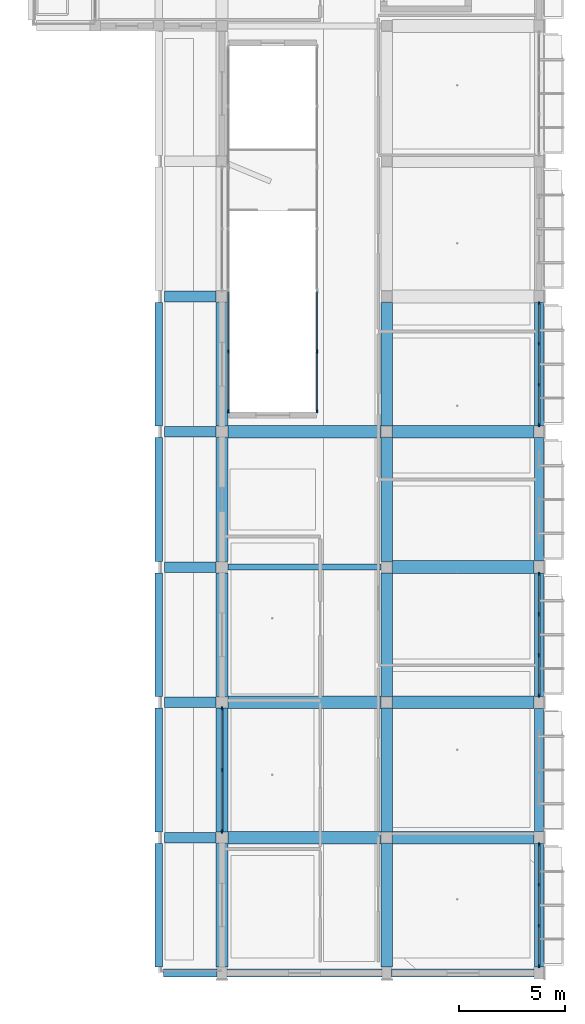
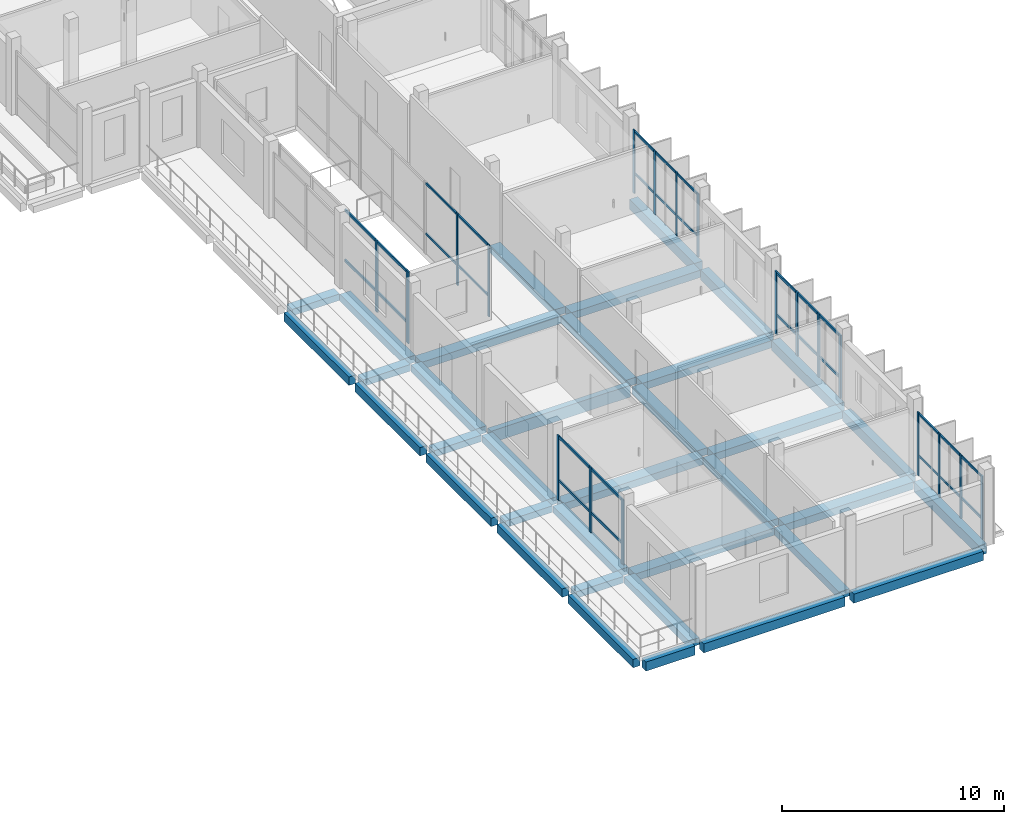
# One storey, part 21 of 85: 36 beams, 31 members, 6 elements without a shape of their own.
"""IFC4 building model written with IfcOpenShell, lengths in metres."""

from ifc_helpers import new_model, si_unit, derived_unit, direction, frame, origin, origin_2d, place, context, subcontext, project, spatial, rectangle, extrude, material, material_profile, profile_set, type_object, element, aggregate, save


model = new_model("IFC4")

# Units and contexts
model_context = context("Model", 3, precision=1e-05, world=origin(), true_north=direction((0.0, 1.0)))
body_context = subcontext(model_context, "Body", "Model", "MODEL_VIEW")
ifc_project = project(units=[si_unit("LENGTHUNIT", "METRE"), si_unit("AREAUNIT", "SQUARE_METRE"), si_unit("VOLUMEUNIT", "CUBIC_METRE"), si_unit("PLANEANGLEUNIT", "RADIAN"), si_unit("MASSUNIT", "GRAM", prefix="KILO"), derived_unit("THERMALTRANSMITTANCEUNIT", [(si_unit("POWERUNIT", "WATT"), 1), (si_unit("LENGTHUNIT", "METRE"), -2), (si_unit("THERMODYNAMICTEMPERATUREUNIT", "KELVIN"), -1)])], contexts=[model_context])

# Site, building, storey
site_placement = place(None, origin())
site = spatial("IfcSite", under=ifc_project, at=site_placement, CompositionType="ELEMENT")
building_placement = place(site_placement, origin())
building = spatial("IfcBuilding", under=site, at=building_placement, Name="Braskholm Square Health Centre", CompositionType="ELEMENT")
storey_placement = place(building_placement, frame((0.0, 0.0, 9.300048828125)))
storey = spatial("IfcBuildingStorey", under=building, at=storey_placement, Name="L03", CompositionType="ELEMENT", Elevation=9.300048828125)

# Curtain wall, members
ifc_material_1 = material(Name="Low-E triple insulating glass (VLT 0.64)", Category="glass")
curtain_wall_type_1 = type_object("IfcCurtainWallType", Name="UnitisedCurtainWall6200x3650", PredefinedType="NOTDEFINED", material=ifc_material_1)
curtain_wall_1_placement = place(storey_placement, origin())
curtain_wall_1 = element("IfcCurtainWall", 1, at=curtain_wall_1_placement, inside=storey, type_object=curtain_wall_type_1, Name="East Outer unitised curtain wall CW-L03-0060", PredefinedType="NOTDEFINED")
ifc_material_2 = material(Name="Architectural bronze anodised aluminium", Category="aluminium")
ifc_material_profile_1 = material_profile(ifc_material_2, rectangle(XDim=0.06494140625, YDim=0.14990234375, at=origin_2d()), Name="ALU-65X150")
ifc_profile_set_1 = profile_set([ifc_material_profile_1], Name="Architectural bronze anodised aluminium")
member_type_1 = type_object("IfcMemberType", Name="CurtainWallMullion65x150", PredefinedType="MULLION", material=ifc_profile_set_1)
member_1_placement = place(storey_placement, frame((163.800048828125, 4.52490234375, 0.0), z_axis=(0.0, 0.0, 1.0), x_axis=(1.0, 0.0, 0.0)))
member_1 = element("IfcMember", 2, at=member_1_placement, type_object=member_type_1, Name="CW-L03-0060 vertical mullion 1", PredefinedType="MULLION", context=body_context, shape_type="SweptSolid", body=[
    extrude(rectangle(XDim=0.06494140625, YDim=0.14990234375, at=origin_2d()), origin(), (0.0, 0.0, 1.0), 3.47998046875),
])
member_2_placement = place(storey_placement, frame((163.800048828125, 6.429931640625, 0.0), z_axis=(0.0, 0.0, 1.0), x_axis=(1.0, 0.0, 0.0)))
member_2 = element("IfcMember", 3, at=member_2_placement, type_object=member_type_1, Name="CW-L03-0060 vertical mullion 2", PredefinedType="MULLION", context=body_context, shape_type="SweptSolid", body=[
    extrude(rectangle(XDim=0.06494140625, YDim=0.14990234375, at=origin_2d()), origin(), (0.0, 0.0, 1.0), 3.47998046875),
])
member_3_placement = place(storey_placement, frame((163.800048828125, 8.3701171875, 0.0), z_axis=(0.0, 0.0, 1.0), x_axis=(1.0, 0.0, 0.0)))
member_3 = element("IfcMember", 4, at=member_3_placement, type_object=member_type_1, Name="CW-L03-0060 vertical mullion 3", PredefinedType="MULLION", context=body_context, shape_type="SweptSolid", body=[
    extrude(rectangle(XDim=0.06494140625, YDim=0.14990234375, at=origin_2d()), origin(), (0.0, 0.0, 1.0), 3.47998046875),
])
member_4_placement = place(storey_placement, frame((163.800048828125, 10.275146484375, 0.0), z_axis=(0.0, 0.0, 1.0), x_axis=(1.0, 0.0, 0.0)))
member_4 = element("IfcMember", 5, at=member_4_placement, type_object=member_type_1, Name="CW-L03-0060 vertical mullion 4", PredefinedType="MULLION", context=body_context, shape_type="SweptSolid", body=[
    extrude(rectangle(XDim=0.06494140625, YDim=0.14990234375, at=origin_2d()), origin(), (0.0, 0.0, 1.0), 3.47998046875),
])

curtain_wall_2_placement = place(storey_placement, origin())
curtain_wall_2 = element("IfcCurtainWall", 6, at=curtain_wall_2_placement, inside=storey, type_object=curtain_wall_type_1, Name="East Outer unitised curtain wall CW-L03-0062", PredefinedType="NOTDEFINED")
member_5_placement = place(storey_placement, frame((163.800048828125, 30.125, 0.0), z_axis=(0.0, 0.0, 1.0), x_axis=(1.0, 0.0, 0.0)))
member_5 = element("IfcMember", 7, at=member_5_placement, type_object=member_type_1, Name="CW-L03-0062 vertical mullion 1", PredefinedType="MULLION", context=body_context, shape_type="SweptSolid", body=[
    extrude(rectangle(XDim=0.06494140625, YDim=0.14990234375, at=origin_2d()), origin(), (0.0, 0.0, 1.0), 3.47998046875),
])
member_6_placement = place(storey_placement, frame((163.800048828125, 32.030029296875, 0.0), z_axis=(0.0, 0.0, 1.0), x_axis=(1.0, 0.0, 0.0)))
member_6 = element("IfcMember", 8, at=member_6_placement, type_object=member_type_1, Name="CW-L03-0062 vertical mullion 2", PredefinedType="MULLION", context=body_context, shape_type="SweptSolid", body=[
    extrude(rectangle(XDim=0.06494140625, YDim=0.14990234375, at=origin_2d()), origin(), (0.0, 0.0, 1.0), 3.47998046875),
])
member_7_placement = place(storey_placement, frame((163.800048828125, 33.969970703125, 0.0), z_axis=(0.0, 0.0, 1.0), x_axis=(1.0, 0.0, 0.0)))
member_7 = element("IfcMember", 9, at=member_7_placement, type_object=member_type_1, Name="CW-L03-0062 vertical mullion 3", PredefinedType="MULLION", context=body_context, shape_type="SweptSolid", body=[
    extrude(rectangle(XDim=0.06494140625, YDim=0.14990234375, at=origin_2d()), origin(), (0.0, 0.0, 1.0), 3.47998046875),
])
member_8_placement = place(storey_placement, frame((163.800048828125, 35.875, 0.0), z_axis=(0.0, 0.0, 1.0), x_axis=(1.0, 0.0, 0.0)))
member_8 = element("IfcMember", 10, at=member_8_placement, type_object=member_type_1, Name="CW-L03-0062 vertical mullion 4", PredefinedType="MULLION", context=body_context, shape_type="SweptSolid", body=[
    extrude(rectangle(XDim=0.06494140625, YDim=0.14990234375, at=origin_2d()), origin(), (0.0, 0.0, 1.0), 3.47998046875),
])

curtain_wall_type_2 = type_object("IfcCurtainWallType", Name="UnitisedCurtainWall5400x4100", PredefinedType="NOTDEFINED", material=ifc_material_1)
curtain_wall_3_placement = place(storey_placement, origin())
curtain_wall_3 = element("IfcCurtainWall", 11, at=curtain_wall_3_placement, inside=storey, type_object=curtain_wall_type_2, Name="EC1 Court E unitised curtain wall CW-L03-0334", PredefinedType="NOTDEFINED")
member_9_placement = place(storey_placement, frame((153.300048828125, 33.60107421875, 0.0), z_axis=(0.0, 0.0, 1.0), x_axis=(1.0, 0.0, 0.0)))
member_9 = element("IfcMember", 12, at=member_9_placement, type_object=member_type_1, Name="CW-L03-0334 vertical mullion 2", PredefinedType="MULLION", context=body_context, shape_type="SweptSolid", body=[
    extrude(rectangle(XDim=0.06494140625, YDim=0.14990234375, at=origin_2d()), origin(), (0.0, 0.0, 1.0), 3.949951171875),
])
member_10_placement = place(storey_placement, frame((153.300048828125, 30.7744140625, 0.0), z_axis=(0.0, 0.0, 1.0), x_axis=(1.0, 0.0, 0.0)))
member_10 = element("IfcMember", 13, at=member_10_placement, type_object=member_type_1, Name="CW-L03-0334 vertical mullion 3", PredefinedType="MULLION", context=body_context, shape_type="SweptSolid", body=[
    extrude(rectangle(XDim=0.06494140625, YDim=0.14990234375, at=origin_2d()), origin(), (0.0, 0.0, 1.0), 3.949951171875),
])

curtain_wall_4_placement = place(storey_placement, origin())
curtain_wall_4 = element("IfcCurtainWall", 14, at=curtain_wall_4_placement, inside=storey, type_object=curtain_wall_type_1, Name="East Outer unitised curtain wall CW-L03-0061", PredefinedType="NOTDEFINED")
ifc_material_profile_2 = material_profile(ifc_material_2, rectangle(XDim=0.074951171875, YDim=0.179931640625, at=origin_2d()), Name="ALU-75X180")
ifc_profile_set_2 = profile_set([ifc_material_profile_2], Name="Architectural bronze anodised aluminium")
member_type_2 = type_object("IfcMemberType", Name="CurtainWallMullion75x180", PredefinedType="MULLION", material=ifc_profile_set_2)
member_11_placement = place(storey_placement, frame((163.800048828125, 17.324951171875, 0.0), z_axis=(0.0, 0.0, 1.0), x_axis=(1.0, 0.0, 0.0)))
member_11 = element("IfcMember", 15, at=member_11_placement, type_object=member_type_2, Name="CW-L03-0061 vertical mullion 1", PredefinedType="MULLION", context=body_context, shape_type="SweptSolid", body=[
    extrude(rectangle(XDim=0.074951171875, YDim=0.179931640625, at=origin_2d()), origin(), (0.0, 0.0, 1.0), 3.47998046875),
])
member_12_placement = place(storey_placement, frame((163.800048828125, 19.22998046875, 0.0), z_axis=(0.0, 0.0, 1.0), x_axis=(1.0, 0.0, 0.0)))
member_12 = element("IfcMember", 16, at=member_12_placement, type_object=member_type_2, Name="CW-L03-0061 vertical mullion 2", PredefinedType="MULLION", context=body_context, shape_type="SweptSolid", body=[
    extrude(rectangle(XDim=0.074951171875, YDim=0.179931640625, at=origin_2d()), origin(), (0.0, 0.0, 1.0), 3.47998046875),
])
member_13_placement = place(storey_placement, frame((163.800048828125, 21.169921875, 0.0), z_axis=(0.0, 0.0, 1.0), x_axis=(1.0, 0.0, 0.0)))
member_13 = element("IfcMember", 17, at=member_13_placement, type_object=member_type_2, Name="CW-L03-0061 vertical mullion 3", PredefinedType="MULLION", context=body_context, shape_type="SweptSolid", body=[
    extrude(rectangle(XDim=0.074951171875, YDim=0.179931640625, at=origin_2d()), origin(), (0.0, 0.0, 1.0), 3.47998046875),
])
member_14_placement = place(storey_placement, frame((163.800048828125, 23.0751953125, 0.0), z_axis=(0.0, 0.0, 1.0), x_axis=(1.0, 0.0, 0.0)))
member_14 = element("IfcMember", 18, at=member_14_placement, type_object=member_type_2, Name="CW-L03-0061 vertical mullion 4", PredefinedType="MULLION", context=body_context, shape_type="SweptSolid", body=[
    extrude(rectangle(XDim=0.074951171875, YDim=0.179931640625, at=origin_2d()), origin(), (0.0, 0.0, 1.0), 3.47998046875),
])

curtain_wall_5_placement = place(storey_placement, origin())
curtain_wall_5 = element("IfcCurtainWall", 19, at=curtain_wall_5_placement, inside=storey, type_object=curtain_wall_type_1, Name="East Valley unitised curtain wall CW-L03-0123", PredefinedType="NOTDEFINED")
member_15_placement = place(storey_placement, frame((148.800048828125, 16.70458984375, 0.0), z_axis=(0.0, 0.0, 1.0), x_axis=(1.0, 0.0, 0.0)))
member_15 = element("IfcMember", 20, at=member_15_placement, type_object=member_type_2, Name="CW-L03-0123 vertical mullion 1", PredefinedType="MULLION", context=body_context, shape_type="SweptSolid", body=[
    extrude(rectangle(XDim=0.074951171875, YDim=0.179931640625, at=origin_2d()), origin(), (0.0, 0.0, 1.0), 3.570068359375),
])
member_16_placement = place(storey_placement, frame((148.800048828125, 13.800048828125, 0.0), z_axis=(0.0, 0.0, 1.0), x_axis=(1.0, 0.0, 0.0)))
member_16 = element("IfcMember", 21, at=member_16_placement, type_object=member_type_2, Name="CW-L03-0123 vertical mullion 2", PredefinedType="MULLION", context=body_context, shape_type="SweptSolid", body=[
    extrude(rectangle(XDim=0.074951171875, YDim=0.179931640625, at=origin_2d()), origin(), (0.0, 0.0, 1.0), 3.570068359375),
])
member_17_placement = place(storey_placement, frame((148.800048828125, 10.895263671875, 0.0), z_axis=(0.0, 0.0, 1.0), x_axis=(1.0, 0.0, 0.0)))
member_17 = element("IfcMember", 22, at=member_17_placement, type_object=member_type_2, Name="CW-L03-0123 vertical mullion 3", PredefinedType="MULLION", context=body_context, shape_type="SweptSolid", body=[
    extrude(rectangle(XDim=0.074951171875, YDim=0.179931640625, at=origin_2d()), origin(), (0.0, 0.0, 1.0), 3.570068359375),
])

curtain_wall_6_placement = place(storey_placement, origin())
curtain_wall_6 = element("IfcCurtainWall", 23, at=curtain_wall_6_placement, inside=storey, type_object=curtain_wall_type_2, Name="EC1 Court W unitised curtain wall CW-L03-0333", PredefinedType="NOTDEFINED")
member_18_placement = place(storey_placement, frame((149.10009765625, 30.7744140625, 0.0), z_axis=(0.0, 0.0, 1.0), x_axis=(1.0, 0.0, 0.0)))
member_18 = element("IfcMember", 24, at=member_18_placement, type_object=member_type_2, Name="CW-L03-0333 vertical mullion 1", PredefinedType="MULLION", context=body_context, shape_type="SweptSolid", body=[
    extrude(rectangle(XDim=0.074951171875, YDim=0.179931640625, at=origin_2d()), origin(), (0.0, 0.0, 1.0), 3.949951171875),
])
member_19_placement = place(storey_placement, frame((149.10009765625, 33.60107421875, 0.0), z_axis=(0.0, 0.0, 1.0), x_axis=(1.0, 0.0, 0.0)))
member_19 = element("IfcMember", 25, at=member_19_placement, type_object=member_type_2, Name="CW-L03-0333 vertical mullion 2", PredefinedType="MULLION", context=body_context, shape_type="SweptSolid", body=[
    extrude(rectangle(XDim=0.074951171875, YDim=0.179931640625, at=origin_2d()), origin(), (0.0, 0.0, 1.0), 3.949951171875),
])

# Member
ifc_material_profile_3 = material_profile(ifc_material_2, rectangle(XDim=0.06494140625, YDim=0.1201171875, at=origin_2d()), Name="ALU-65X120")
ifc_profile_set_3 = profile_set([ifc_material_profile_3], Name="Architectural bronze anodised aluminium")
member_type_3 = type_object("IfcMemberType", Name="CurtainWallTransom65x120", PredefinedType="USERDEFINED", material=ifc_profile_set_3)
member_20_placement = place(storey_placement, frame((163.800048828125, 4.534912109375, 1.119873046875), z_axis=(0.0, 1.0, 0.0), x_axis=(-1.0, 0.0, 0.0)))
member_20 = element("IfcMember", 26, at=member_20_placement, type_object=member_type_3, Name="CW-L03-0060 horizontal transom 1", ObjectType="TRANSOM", PredefinedType="USERDEFINED", context=body_context, shape_type="SweptSolid", body=[
    extrude(rectangle(XDim=0.06494140625, YDim=0.1201171875, at=origin_2d()), origin(), (0.0, 0.0, 1.0), 5.72998046875),
])

member_21_placement = place(storey_placement, frame((163.800048828125, 4.534912109375, 3.409912109375), z_axis=(0.0, 1.0, 0.0), x_axis=(-1.0, 0.0, 0.0)))
member_21 = element("IfcMember", 27, at=member_21_placement, type_object=member_type_3, Name="CW-L03-0060 horizontal transom 2", ObjectType="TRANSOM", PredefinedType="USERDEFINED", context=body_context, shape_type="SweptSolid", body=[
    extrude(rectangle(XDim=0.06494140625, YDim=0.1201171875, at=origin_2d()), origin(), (0.0, 0.0, 1.0), 5.72998046875),
])

aggregate(curtain_wall_1, [member_1, member_2, member_3, member_4, member_20, member_21])

member_22_placement = place(storey_placement, frame((163.800048828125, 30.135009765625, 1.119873046875), z_axis=(0.0, 1.0, 0.0), x_axis=(-1.0, 0.0, 0.0)))
member_22 = element("IfcMember", 28, at=member_22_placement, type_object=member_type_3, Name="CW-L03-0062 horizontal transom 1", ObjectType="TRANSOM", PredefinedType="USERDEFINED", context=body_context, shape_type="SweptSolid", body=[
    extrude(rectangle(XDim=0.06494140625, YDim=0.1201171875, at=origin_2d()), origin(), (0.0, 0.0, 1.0), 5.72998046875),
])

member_23_placement = place(storey_placement, frame((163.800048828125, 30.135009765625, 3.409912109375), z_axis=(0.0, 1.0, 0.0), x_axis=(-1.0, 0.0, 0.0)))
member_23 = element("IfcMember", 29, at=member_23_placement, type_object=member_type_3, Name="CW-L03-0062 horizontal transom 2", ObjectType="TRANSOM", PredefinedType="USERDEFINED", context=body_context, shape_type="SweptSolid", body=[
    extrude(rectangle(XDim=0.06494140625, YDim=0.1201171875, at=origin_2d()), origin(), (0.0, 0.0, 1.0), 5.72998046875),
])

aggregate(curtain_wall_2, [member_5, member_6, member_7, member_8, member_22, member_23])

member_24_placement = place(storey_placement, frame((153.300048828125, 36.4169921875, 1.119873046875), z_axis=(0.0, -1.0, 0.0), x_axis=(1.0, 0.0, 0.0)))
member_24 = element("IfcMember", 30, at=member_24_placement, type_object=member_type_3, Name="CW-L03-0334 horizontal transom 1", ObjectType="TRANSOM", PredefinedType="USERDEFINED", context=body_context, shape_type="SweptSolid", body=[
    extrude(rectangle(XDim=0.06494140625, YDim=0.1201171875, at=origin_2d()), origin(), (0.0, 0.0, 1.0), 5.632080078125),
])

member_25_placement = place(storey_placement, frame((153.300048828125, 36.4169921875, 3.8798828125), z_axis=(0.0, -1.0, 0.0), x_axis=(1.0, 0.0, 0.0)))
member_25 = element("IfcMember", 31, at=member_25_placement, type_object=member_type_3, Name="CW-L03-0334 horizontal transom 2", ObjectType="TRANSOM", PredefinedType="USERDEFINED", context=body_context, shape_type="SweptSolid", body=[
    extrude(rectangle(XDim=0.06494140625, YDim=0.1201171875, at=origin_2d()), origin(), (0.0, 0.0, 1.0), 5.632080078125),
])

aggregate(curtain_wall_3, [member_9, member_10, member_24, member_25])

ifc_material_profile_4 = material_profile(ifc_material_2, rectangle(XDim=0.074951171875, YDim=0.139892578125, at=origin_2d()), Name="ALU-75X140")
ifc_profile_set_4 = profile_set([ifc_material_profile_4], Name="Architectural bronze anodised aluminium")
member_type_4 = type_object("IfcMemberType", Name="CurtainWallTransom75x140", PredefinedType="USERDEFINED", material=ifc_profile_set_4)
member_26_placement = place(storey_placement, frame((163.800048828125, 17.3349609375, 1.119873046875), z_axis=(0.0, 1.0, 0.0), x_axis=(-1.0, 0.0, 0.0)))
member_26 = element("IfcMember", 32, at=member_26_placement, type_object=member_type_4, Name="CW-L03-0061 horizontal transom 1", ObjectType="TRANSOM", PredefinedType="USERDEFINED", context=body_context, shape_type="SweptSolid", body=[
    extrude(rectangle(XDim=0.074951171875, YDim=0.139892578125, at=origin_2d()), origin(), (0.0, 0.0, 1.0), 5.72998046875),
])

member_27_placement = place(storey_placement, frame((163.800048828125, 17.3349609375, 3.409912109375), z_axis=(0.0, 1.0, 0.0), x_axis=(-1.0, 0.0, 0.0)))
member_27 = element("IfcMember", 33, at=member_27_placement, type_object=member_type_4, Name="CW-L03-0061 horizontal transom 2", ObjectType="TRANSOM", PredefinedType="USERDEFINED", context=body_context, shape_type="SweptSolid", body=[
    extrude(rectangle(XDim=0.074951171875, YDim=0.139892578125, at=origin_2d()), origin(), (0.0, 0.0, 1.0), 5.72998046875),
])

aggregate(curtain_wall_4, [member_11, member_12, member_13, member_14, member_26, member_27])

member_28_placement = place(storey_placement, frame((148.800048828125, 16.695068359375, 1.119873046875), z_axis=(0.0, -1.0, 0.0), x_axis=(1.0, 0.0, 0.0)))
member_28 = element("IfcMember", 34, at=member_28_placement, type_object=member_type_4, Name="CW-L03-0123 horizontal transom 1", ObjectType="TRANSOM", PredefinedType="USERDEFINED", context=body_context, shape_type="SweptSolid", body=[
    extrude(rectangle(XDim=0.074951171875, YDim=0.139892578125, at=origin_2d()), origin(), (0.0, 0.0, 1.0), 5.7900390625),
])

member_29_placement = place(storey_placement, frame((148.800048828125, 16.695068359375, 3.5), z_axis=(0.0, -1.0, 0.0), x_axis=(1.0, 0.0, 0.0)))
member_29 = element("IfcMember", 35, at=member_29_placement, type_object=member_type_4, Name="CW-L03-0123 horizontal transom 2", ObjectType="TRANSOM", PredefinedType="USERDEFINED", context=body_context, shape_type="SweptSolid", body=[
    extrude(rectangle(XDim=0.074951171875, YDim=0.139892578125, at=origin_2d()), origin(), (0.0, 0.0, 1.0), 5.7900390625),
])

aggregate(curtain_wall_5, [member_15, member_16, member_17, member_28, member_29])

member_30_placement = place(storey_placement, frame((149.10009765625, 30.784912109375, 1.119873046875), z_axis=(0.0, 1.0, 0.0), x_axis=(-1.0, 0.0, 0.0)))
member_30 = element("IfcMember", 36, at=member_30_placement, type_object=member_type_4, Name="CW-L03-0333 horizontal transom 1", ObjectType="TRANSOM", PredefinedType="USERDEFINED", context=body_context, shape_type="SweptSolid", body=[
    extrude(rectangle(XDim=0.074951171875, YDim=0.139892578125, at=origin_2d()), origin(), (0.0, 0.0, 1.0), 5.632080078125),
])

member_31_placement = place(storey_placement, frame((149.10009765625, 30.784912109375, 3.8798828125), z_axis=(0.0, 1.0, 0.0), x_axis=(-1.0, 0.0, 0.0)))
member_31 = element("IfcMember", 37, at=member_31_placement, type_object=member_type_4, Name="CW-L03-0333 horizontal transom 2", ObjectType="TRANSOM", PredefinedType="USERDEFINED", context=body_context, shape_type="SweptSolid", body=[
    extrude(rectangle(XDim=0.074951171875, YDim=0.139892578125, at=origin_2d()), origin(), (0.0, 0.0, 1.0), 5.632080078125),
])

aggregate(curtain_wall_6, [member_18, member_19, member_30, member_31])

# Beams
ifc_material_3 = material(Name="Concrete C35/45 (f'c = 35 MPa)", Category="concrete")
ifc_material_profile_5 = material_profile(ifc_material_3, rectangle(XDim=0.5, YDim=0.360107421875, at=origin_2d()), Name="RCB-500X360")
ifc_profile_set_5 = profile_set([ifc_material_profile_5], Name="Concrete C35/45 (f'c = 35 MPa)")
beam_type_1 = type_object("IfcBeamType", Name="PrimaryBandBeam500x360", PredefinedType="BEAM", material=ifc_profile_set_5)
for number, where, z_axis, x_axis, name in (
    (38, (146.074951171875, 10.60009765625, -0.429931640625), (1.0, 0.0, 0.0), (0.0, 1.0, 0.0), "Beam 19-20/B L03"),
    (39, (146.074951171875, 17.0, -0.429931640625), (1.0, 0.0, 0.0), (0.0, 1.0, 0.0), "Beam 19-20/C L03"),
    (40, (146.074951171875, 23.39990234375, -0.429931640625), (1.0, 0.0, 0.0), (0.0, 1.0, 0.0), "Beam 19-20/D L03"),
    (41, (146.074951171875, 29.800048828125, -0.429931640625), (1.0, 0.0, 0.0), (0.0, 1.0, 0.0), "Beam 19-20/E L03"),
    (42, (146.074951171875, 36.199951171875, -0.429931640625), (1.0, 0.0, 0.0), (0.0, 1.0, 0.0), "Beam 19-20/F L03"),
):
    element("IfcBeam", number, at=place(storey_placement, frame(where, z_axis=z_axis, x_axis=x_axis)), inside=storey, type_object=beam_type_1, Name=name, PredefinedType="BEAM", context=body_context, shape_type="SweptSolid", body=[
        extrude(rectangle(XDim=0.5, YDim=0.360107421875, at=origin_2d()), origin(), (0.0, 0.0, 1.0), 2.449951171875),
    ])
ifc_material_profile_6 = material_profile(ifc_material_3, rectangle(XDim=0.550048828125, YDim=0.3798828125, at=origin_2d()), Name="RCB-550X380")
ifc_profile_set_6 = profile_set([ifc_material_profile_6], Name="Concrete C35/45 (f'c = 35 MPa)")
beam_type_2 = type_object("IfcBeamType", Name="PrimaryBandBeam550x380", PredefinedType="BEAM", material=ifc_profile_set_6)
beam_1_placement = place(storey_placement, frame((148.800048828125, 4.47998046875, -0.43994140625), z_axis=(0.0, 1.0, 0.0), x_axis=(-1.0, 0.0, 0.0)))
element("IfcBeam", 43, at=beam_1_placement, inside=storey, type_object=beam_type_2, Name="Beam 20/A-B L03", PredefinedType="BEAM", context=body_context, shape_type="SweptSolid", body=[
    extrude(rectangle(XDim=0.550048828125, YDim=0.3798828125, at=origin_2d()), origin(), (0.0, 0.0, 1.0), 5.844970703125),
])
for number, where, z_axis, x_axis, name in (
    (44, (148.800048828125, 10.875, -0.43994140625), (0.0, 1.0, 0.0), (-1.0, 0.0, 0.0), "Beam 20/B-C L03"),
    (45, (148.800048828125, 17.27490234375, -0.43994140625), (0.0, 1.0, 0.0), (-1.0, 0.0, 0.0), "Beam 20/C-D L03"),
):
    element("IfcBeam", number, at=place(storey_placement, frame(where, z_axis=z_axis, x_axis=x_axis)), inside=storey, type_object=beam_type_2, Name=name, PredefinedType="BEAM", context=body_context, shape_type="SweptSolid", body=[
        extrude(rectangle(XDim=0.550048828125, YDim=0.3798828125, at=origin_2d()), origin(), (0.0, 0.0, 1.0), 5.85009765625),
    ])
beam_2_placement = place(storey_placement, frame((148.800048828125, 23.675048828125, -0.43994140625), z_axis=(0.0, 1.0, 0.0), x_axis=(-1.0, 0.0, 0.0)))
element("IfcBeam", 46, at=beam_2_placement, inside=storey, type_object=beam_type_2, Name="Beam 20/D-E L03", PredefinedType="BEAM", context=body_context, shape_type="SweptSolid", body=[
    extrude(rectangle(XDim=0.550048828125, YDim=0.3798828125, at=origin_2d()), origin(), (0.0, 0.0, 1.0), 5.849853515625),
])
beam_3_placement = place(storey_placement, frame((148.800048828125, 30.074951171875, -0.43994140625), z_axis=(0.0, 1.0, 0.0), x_axis=(-1.0, 0.0, 0.0)))
element("IfcBeam", 47, at=beam_3_placement, inside=storey, type_object=beam_type_2, Name="Beam 20/E-F L03", PredefinedType="BEAM", context=body_context, shape_type="SweptSolid", body=[
    extrude(rectangle(XDim=0.550048828125, YDim=0.3798828125, at=origin_2d()), origin(), (0.0, 0.0, 1.0), 5.85009765625),
])
beam_4_placement = place(storey_placement, frame((156.60009765625, 4.47998046875, -0.489990234375), z_axis=(0.0, 1.0, 0.0), x_axis=(-1.0, 0.0, 0.0)))
element("IfcBeam", 48, at=beam_4_placement, inside=storey, type_object=beam_type_2, Name="Beam 21/A-B L03", PredefinedType="BEAM", context=body_context, shape_type="SweptSolid", body=[
    extrude(rectangle(XDim=0.550048828125, YDim=0.3798828125, at=origin_2d()), origin(), (0.0, 0.0, 1.0), 5.844970703125),
])
for number, where, z_axis, x_axis, name in (
    (49, (156.60009765625, 10.875, -0.489990234375), (0.0, 1.0, 0.0), (-1.0, 0.0, 0.0), "Beam 21/B-C L03"),
    (50, (156.60009765625, 17.27490234375, -0.489990234375), (0.0, 1.0, 0.0), (-1.0, 0.0, 0.0), "Beam 21/C-D L03"),
):
    element("IfcBeam", number, at=place(storey_placement, frame(where, z_axis=z_axis, x_axis=x_axis)), inside=storey, type_object=beam_type_2, Name=name, PredefinedType="BEAM", context=body_context, shape_type="SweptSolid", body=[
        extrude(rectangle(XDim=0.550048828125, YDim=0.3798828125, at=origin_2d()), origin(), (0.0, 0.0, 1.0), 5.85009765625),
    ])
beam_5_placement = place(storey_placement, frame((156.60009765625, 23.675048828125, -0.489990234375), z_axis=(0.0, 1.0, 0.0), x_axis=(-1.0, 0.0, 0.0)))
element("IfcBeam", 51, at=beam_5_placement, inside=storey, type_object=beam_type_2, Name="Beam 21/D-E L03", PredefinedType="BEAM", context=body_context, shape_type="SweptSolid", body=[
    extrude(rectangle(XDim=0.550048828125, YDim=0.3798828125, at=origin_2d()), origin(), (0.0, 0.0, 1.0), 5.849853515625),
])
beam_6_placement = place(storey_placement, frame((156.60009765625, 30.074951171875, -0.489990234375), z_axis=(0.0, 1.0, 0.0), x_axis=(-1.0, 0.0, 0.0)))
element("IfcBeam", 52, at=beam_6_placement, inside=storey, type_object=beam_type_2, Name="Beam 21/E-F L03", PredefinedType="BEAM", context=body_context, shape_type="SweptSolid", body=[
    extrude(rectangle(XDim=0.550048828125, YDim=0.3798828125, at=origin_2d()), origin(), (0.0, 0.0, 1.0), 5.85009765625),
])
ifc_material_profile_7 = material_profile(ifc_material_3, rectangle(XDim=0.60009765625, YDim=0.39990234375, at=origin_2d()), Name="RCB-600X400")
ifc_profile_set_7 = profile_set([ifc_material_profile_7], Name="Concrete C35/45 (f'c = 35 MPa)")
beam_type_3 = type_object("IfcBeamType", Name="PrimaryBandBeam600x400", PredefinedType="BEAM", material=ifc_profile_set_7)
beam_7_placement = place(storey_placement, frame((149.074951171875, 10.60009765625, -0.5), z_axis=(1.0, 0.0, 0.0), x_axis=(0.0, 1.0, 0.0)))
element("IfcBeam", 53, at=beam_7_placement, inside=storey, type_object=beam_type_3, Name="Beam 20-21/B L03", PredefinedType="BEAM", context=body_context, shape_type="SweptSolid", body=[
    extrude(rectangle(XDim=0.60009765625, YDim=0.39990234375, at=origin_2d()), origin(), (0.0, 0.0, 1.0), 7.25),
])
beam_8_placement = place(storey_placement, frame((156.875, 10.60009765625, -0.5), z_axis=(1.0, 0.0, 0.0), x_axis=(0.0, 1.0, 0.0)))
element("IfcBeam", 54, at=beam_8_placement, inside=storey, type_object=beam_type_3, Name="Beam 21-22/B L03", PredefinedType="BEAM", context=body_context, shape_type="SweptSolid", body=[
    extrude(rectangle(XDim=0.60009765625, YDim=0.39990234375, at=origin_2d()), origin(), (0.0, 0.0, 1.0), 6.695068359375),
])
beam_9_placement = place(storey_placement, frame((149.074951171875, 17.0, -0.5), z_axis=(1.0, 0.0, 0.0), x_axis=(0.0, 1.0, 0.0)))
element("IfcBeam", 55, at=beam_9_placement, inside=storey, type_object=beam_type_3, Name="Beam 20-21/C L03", PredefinedType="BEAM", context=body_context, shape_type="SweptSolid", body=[
    extrude(rectangle(XDim=0.60009765625, YDim=0.39990234375, at=origin_2d()), origin(), (0.0, 0.0, 1.0), 7.25),
])
for number, where, z_axis, x_axis, name in (
    (56, (156.875, 17.0, -0.5), (1.0, 0.0, 0.0), (0.0, 1.0, 0.0), "Beam 21-22/C L03"),
    (57, (156.875, 23.39990234375, -0.5), (1.0, 0.0, 0.0), (0.0, 1.0, 0.0), "Beam 21-22/D L03"),
):
    element("IfcBeam", number, at=place(storey_placement, frame(where, z_axis=z_axis, x_axis=x_axis)), inside=storey, type_object=beam_type_3, Name=name, PredefinedType="BEAM", context=body_context, shape_type="SweptSolid", body=[
        extrude(rectangle(XDim=0.60009765625, YDim=0.39990234375, at=origin_2d()), origin(), (0.0, 0.0, 1.0), 6.695068359375),
    ])
beam_10_placement = place(storey_placement, frame((149.074951171875, 29.800048828125, -0.5), z_axis=(1.0, 0.0, 0.0), x_axis=(0.0, 1.0, 0.0)))
element("IfcBeam", 58, at=beam_10_placement, inside=storey, type_object=beam_type_3, Name="Beam 20-21/E L03", PredefinedType="BEAM", context=body_context, shape_type="SweptSolid", body=[
    extrude(rectangle(XDim=0.60009765625, YDim=0.39990234375, at=origin_2d()), origin(), (0.0, 0.0, 1.0), 7.25),
])
beam_11_placement = place(storey_placement, frame((156.875, 29.800048828125, -0.5), z_axis=(1.0, 0.0, 0.0), x_axis=(0.0, 1.0, 0.0)))
element("IfcBeam", 59, at=beam_11_placement, inside=storey, type_object=beam_type_3, Name="Beam 21-22/E L03", PredefinedType="BEAM", context=body_context, shape_type="SweptSolid", body=[
    extrude(rectangle(XDim=0.60009765625, YDim=0.39990234375, at=origin_2d()), origin(), (0.0, 0.0, 1.0), 6.695068359375),
])
ifc_material_4 = material(Name="Concrete C40/50 (f'c = 40 MPa)", Category="concrete")
ifc_material_profile_8 = material_profile(ifc_material_4, rectangle(XDim=0.300048828125, YDim=0.64990234375, at=origin_2d()), Name="RCB-300X650")
ifc_profile_set_8 = profile_set([ifc_material_profile_8], Name="Concrete C40/50 (f'c = 40 MPa)")
beam_type_4 = type_object("IfcBeamType", Name="PrimaryCoreCoupling300x650", PredefinedType="BEAM", material=ifc_profile_set_8)
beam_12_placement = place(storey_placement, frame((149.074951171875, 23.39990234375, -0.625), z_axis=(1.0, 0.0, 0.0), x_axis=(0.0, 1.0, 0.0)))
element("IfcBeam", 60, at=beam_12_placement, inside=storey, type_object=beam_type_4, Name="Beam 20-21/D L03", PredefinedType="BEAM", context=body_context, shape_type="SweptSolid", body=[
    extrude(rectangle(XDim=0.300048828125, YDim=0.64990234375, at=origin_2d()), origin(), (0.0, 0.0, 1.0), 7.25),
])
ifc_material_5 = material(Name="Precast concrete C40/50 architectural white", Category="concrete")
ifc_material_profile_9 = material_profile(ifc_material_5, rectangle(XDim=0.3798828125, YDim=0.5, at=origin_2d()), Name="RCB-380X500")
ifc_profile_set_9 = profile_set([ifc_material_profile_9], Name="Precast concrete C40/50 architectural white")
beam_type_5 = type_object("IfcBeamType", Name="SpandrelPrecastEdge380x500", PredefinedType="SPANDREL", material=ifc_profile_set_9)
beam_13_placement = place(storey_placement, frame((146.030029296875, 4.199951171875, -0.5), z_axis=(1.0, 0.0, 0.0), x_axis=(0.0, 1.0, 0.0)))
element("IfcBeam", 61, at=beam_13_placement, inside=storey, type_object=beam_type_5, Name="Beam 19-20/A L03", PredefinedType="SPANDREL", context=body_context, shape_type="SweptSolid", body=[
    extrude(rectangle(XDim=0.3798828125, YDim=0.5, at=origin_2d()), origin(), (0.0, 0.0, 1.0), 2.5400390625),
])
beam_14_placement = place(storey_placement, frame((149.030029296875, 4.199951171875, -0.550048828125), z_axis=(1.0, 0.0, 0.0), x_axis=(0.0, 1.0, 0.0)))
element("IfcBeam", 62, at=beam_14_placement, inside=storey, type_object=beam_type_5, Name="Beam 20-21/A L03", PredefinedType="SPANDREL", context=body_context, shape_type="SweptSolid", body=[
    extrude(rectangle(XDim=0.3798828125, YDim=0.5, at=origin_2d()), origin(), (0.0, 0.0, 1.0), 7.340087890625),
])
beam_15_placement = place(storey_placement, frame((156.830078125, 4.199951171875, -0.550048828125), z_axis=(1.0, 0.0, 0.0), x_axis=(0.0, 1.0, 0.0)))
element("IfcBeam", 63, at=beam_15_placement, inside=storey, type_object=beam_type_5, Name="Beam 21-22/A L03", PredefinedType="SPANDREL", context=body_context, shape_type="SweptSolid", body=[
    extrude(rectangle(XDim=0.3798828125, YDim=0.5, at=origin_2d()), origin(), (0.0, 0.0, 1.0), 6.739990234375),
])
ifc_material_profile_10 = material_profile(ifc_material_5, rectangle(XDim=0.419921875, YDim=0.550048828125, at=origin_2d()), Name="RCB-420X550")
ifc_profile_set_10 = profile_set([ifc_material_profile_10], Name="Precast concrete C40/50 architectural white")
beam_type_6 = type_object("IfcBeamType", Name="SpandrelPrecastLedge420x550", PredefinedType="SPANDREL", material=ifc_profile_set_10)
for number, where, z_axis, x_axis, name in (
    (64, (163.800048828125, 4.47998046875, -0.574951171875), (0.0, 1.0, 0.0), (-1.0, 0.0, 0.0), "Beam 22/A-B L03"),
    (65, (163.800048828125, 10.8798828125, -0.574951171875), (0.0, 1.0, 0.0), (-1.0, 0.0, 0.0), "Beam 22/B-C L03"),
    (66, (163.800048828125, 17.280029296875, -0.574951171875), (0.0, 1.0, 0.0), (-1.0, 0.0, 0.0), "Beam 22/C-D L03"),
    (67, (163.800048828125, 23.679931640625, -0.574951171875), (0.0, 1.0, 0.0), (-1.0, 0.0, 0.0), "Beam 22/D-E L03"),
):
    element("IfcBeam", number, at=place(storey_placement, frame(where, z_axis=z_axis, x_axis=x_axis)), inside=storey, type_object=beam_type_6, Name=name, PredefinedType="SPANDREL", context=body_context, shape_type="SweptSolid", body=[
        extrude(rectangle(XDim=0.419921875, YDim=0.550048828125, at=origin_2d()), origin(), (0.0, 0.0, 1.0), 5.840087890625),
    ])
beam_16_placement = place(storey_placement, frame((163.800048828125, 30.080078125, -0.574951171875), z_axis=(0.0, 1.0, 0.0), x_axis=(-1.0, 0.0, 0.0)))
element("IfcBeam", 68, at=beam_16_placement, inside=storey, type_object=beam_type_6, Name="Beam 22/E-F L03", PredefinedType="SPANDREL", context=body_context, shape_type="SweptSolid", body=[
    extrude(rectangle(XDim=0.419921875, YDim=0.550048828125, at=origin_2d()), origin(), (0.0, 0.0, 1.0), 5.83984375),
])
ifc_material_profile_11 = material_profile(ifc_material_5, rectangle(XDim=0.360107421875, YDim=0.4599609375, at=origin_2d()), Name="RCB-360X460")
ifc_profile_set_11 = profile_set([ifc_material_profile_11], Name="Precast concrete C40/50 architectural white")
beam_type_7 = type_object("IfcBeamType", Name="SpandrelTerraceEdge360x460", PredefinedType="SPANDREL", material=ifc_profile_set_11)
beam_17_placement = place(storey_placement, frame((145.800048828125, 4.47998046875, -0.47998046875), z_axis=(0.0, 1.0, 0.0), x_axis=(-1.0, 0.0, 0.0)))
element("IfcBeam", 69, at=beam_17_placement, inside=storey, type_object=beam_type_7, Name="Beam 19/A-B L03", PredefinedType="SPANDREL", context=body_context, shape_type="SweptSolid", body=[
    extrude(rectangle(XDim=0.360107421875, YDim=0.4599609375, at=origin_2d()), origin(), (0.0, 0.0, 1.0), 5.844970703125),
])
for number, where, z_axis, x_axis, name in (
    (70, (145.800048828125, 10.875, -0.47998046875), (0.0, 1.0, 0.0), (-1.0, 0.0, 0.0), "Beam 19/B-C L03"),
    (71, (145.800048828125, 17.27490234375, -0.47998046875), (0.0, 1.0, 0.0), (-1.0, 0.0, 0.0), "Beam 19/C-D L03"),
):
    element("IfcBeam", number, at=place(storey_placement, frame(where, z_axis=z_axis, x_axis=x_axis)), inside=storey, type_object=beam_type_7, Name=name, PredefinedType="SPANDREL", context=body_context, shape_type="SweptSolid", body=[
        extrude(rectangle(XDim=0.360107421875, YDim=0.4599609375, at=origin_2d()), origin(), (0.0, 0.0, 1.0), 5.85009765625),
    ])
beam_18_placement = place(storey_placement, frame((145.800048828125, 23.675048828125, -0.47998046875), z_axis=(0.0, 1.0, 0.0), x_axis=(-1.0, 0.0, 0.0)))
element("IfcBeam", 72, at=beam_18_placement, inside=storey, type_object=beam_type_7, Name="Beam 19/D-E L03", PredefinedType="SPANDREL", context=body_context, shape_type="SweptSolid", body=[
    extrude(rectangle(XDim=0.360107421875, YDim=0.4599609375, at=origin_2d()), origin(), (0.0, 0.0, 1.0), 5.849853515625),
])
beam_19_placement = place(storey_placement, frame((145.800048828125, 30.074951171875, -0.47998046875), z_axis=(0.0, 1.0, 0.0), x_axis=(-1.0, 0.0, 0.0)))
element("IfcBeam", 73, at=beam_19_placement, inside=storey, type_object=beam_type_7, Name="Beam 19/E-F L03", PredefinedType="SPANDREL", context=body_context, shape_type="SweptSolid", body=[
    extrude(rectangle(XDim=0.360107421875, YDim=0.4599609375, at=origin_2d()), origin(), (0.0, 0.0, 1.0), 5.85009765625),
])

save(model, "model.ifc")
